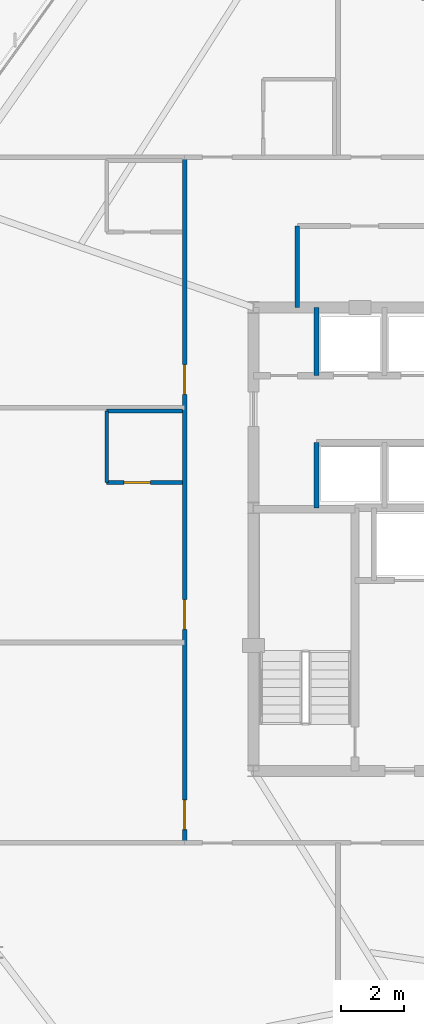
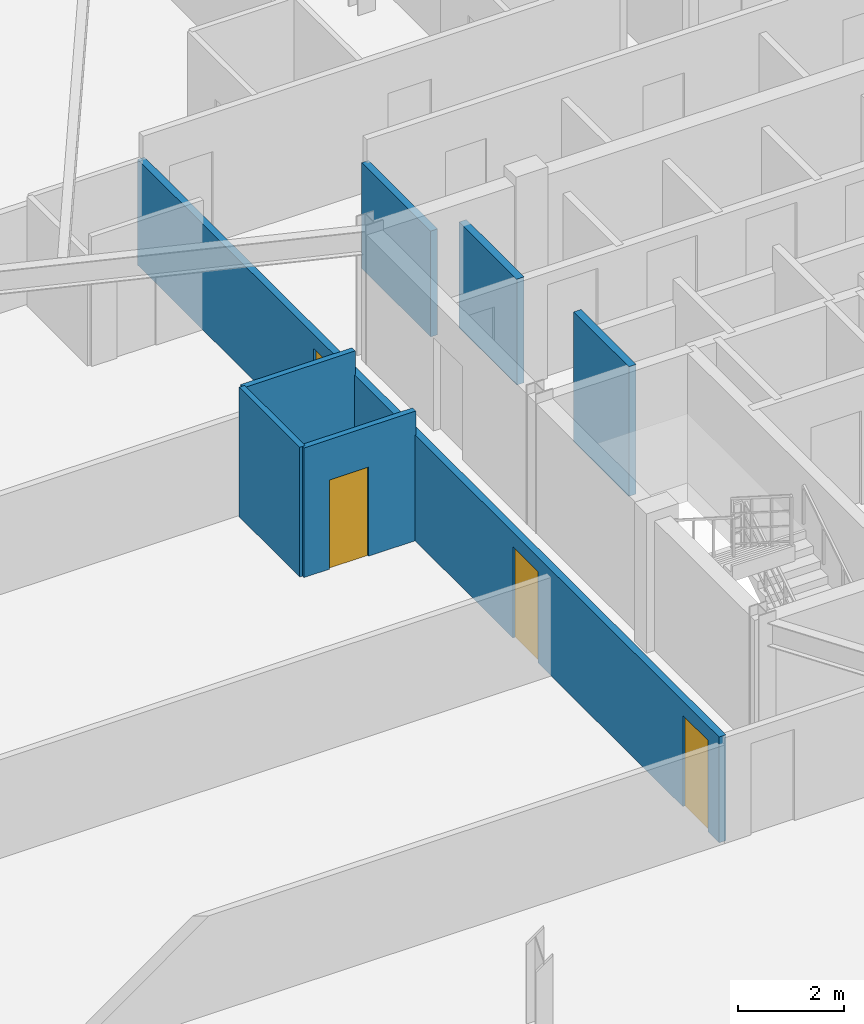
# One storey, part 12 of 17: 7 walls, 4 doors, 4 openings.
"""IFC4 building model written with IfcOpenShell, lengths in metres."""

from ifc_helpers import new_model, si_unit, direction, frame, frame_2d, origin, place, context, subcontext, project, spatial, rectangle, extrude, material, layer, layer_set, type_object, element, fill, save


model = new_model("IFC4")

# Units and contexts
model_context = context("Model", 3, precision=1e-05, world=origin(), true_north=direction((0.0, 1.0)))
body_context = subcontext(model_context, "Body", "Model", "MODEL_VIEW")
ifc_project = project(units=[si_unit("LENGTHUNIT", "METRE"), si_unit("AREAUNIT", "SQUARE_METRE"), si_unit("VOLUMEUNIT", "CUBIC_METRE"), si_unit("PLANEANGLEUNIT", "RADIAN"), si_unit("MASSUNIT", "GRAM", prefix="KILO")], contexts=[model_context])

# Site, building, storey
site_placement = place(None, origin())
site = spatial("IfcSite", under=ifc_project, at=site_placement, CompositionType="ELEMENT")
building_placement = place(site_placement, origin())
building = spatial("IfcBuilding", under=site, at=building_placement, Name="Varakhsha Concourse Tower", CompositionType="ELEMENT")
storey_placement = place(building_placement, frame((0.0, 0.0, 27.199951171875)))
storey = spatial("IfcBuildingStorey", under=building, at=storey_placement, Name="L06", CompositionType="ELEMENT", Elevation=27.199951171875)

# Wall
ifc_material_1 = material(Name="Acoustic Gypsum Board Partition Assembly", Category="gypsum")
ifc_layer_1 = layer(ifc_material_1, 0.1201171875, Name="WL-PART-120")
ifc_layer_set_1 = layer_set([ifc_layer_1], Name="Acoustic Gypsum Board Partition Assembly")
wall_type_1 = type_object("IfcWallType", Name="WL-PART-120", PredefinedType="PARTITIONING", material=ifc_layer_set_1)
wall_1_placement = place(storey_placement, frame((27.110107421875, 25.610107421875, 0.0), z_axis=(0.0, 0.0, 1.0), x_axis=(0.0, 1.0, 0.0)))
element("IfcWall", 1, at=wall_1_placement, inside=storey, type_object=wall_type_1, Name="L06 Wall ENSW-W-L06-H05", PredefinedType="PARTITIONING", context=body_context, shape_type="SweptSolid", body=[
    extrude(rectangle(XDim=2.27978515625, YDim=0.1201171875, at=frame_2d((1.139892578125, 0.0))), origin(), (0.0, 0.0, 1.0), 2.97998046875),
])

# Wall, opening, door
wall_2_placement = place(storey_placement, frame((27.110107421875, 25.610107421875, 0.0), z_axis=(0.0, 0.0, 1.0), x_axis=(1.0, 0.0, 0.0)))
wall_2 = element("IfcWall", 2, at=wall_2_placement, inside=storey, type_object=wall_type_1, Name="L06 Wall ENSW-S-L06-H05", PredefinedType="PARTITIONING", context=body_context, shape_type="SweptSolid", body=[
    extrude(rectangle(XDim=2.429931640625, YDim=0.1201171875, at=frame_2d((1.21484375, 0.0))), origin(), (0.0, 0.0, 1.0), 2.97998046875),
])
opening_1_placement = place(wall_2_placement, frame((0.550048828125, 0.0, 0.0)))
opening_1 = element("IfcOpeningElement", 3, at=opening_1_placement, cuts=wall_2, Name="Opening DI-01", PredefinedType="OPENING", context=body_context, shape_type="SweptSolid", body=[
    extrude(rectangle(XDim=0.85009765625, YDim=2.050048828125, at=frame_2d((0.425048828125, 1.02490234375))), frame((0.0, 0.070068359375, 0.0), z_axis=(0.0, -1.0, 0.0), x_axis=(1.0, 0.0, 0.0)), (0.0, 0.0, 1.0), 0.14013671875),
])
ifc_material_2 = material(Name="Architectural Walnut Acoustic Timber Door", Category="wood")
door_type_1 = type_object("IfcDoorType", Name="DR-INT-850", OperationType="NOTDEFINED", PredefinedType="DOOR", material=ifc_material_2)
door_1_placement = place(opening_1_placement, origin())
door_1 = element("IfcDoor", 4, at=door_1_placement, inside=storey, type_object=door_type_1, Name="L06 En-suite Bathroom Door L06-H05", OperationType="SINGLE_SWING_RIGHT", OverallHeight=2.050048828125, OverallWidth=0.85009765625, PredefinedType="DOOR", context=body_context, shape_type="SweptSolid", body=[
    extrude(rectangle(XDim=0.85009765625, YDim=2.050048828125, at=frame_2d((0.425048828125, 1.02490234375))), frame((0.0, 0.02490234375, 0.0), z_axis=(0.0, -1.0, 0.0), x_axis=(1.0, 0.0, 0.0)), (0.0, 0.0, 1.0), 0.050048828125),
])
fill(opening_1, door_1)

# Walls
wall_3_placement = place(storey_placement, frame((27.110107421875, 27.889892578125, 0.0), z_axis=(0.0, 0.0, 1.0), x_axis=(1.0, 0.0, 0.0)))
element("IfcWall", 5, at=wall_3_placement, inside=storey, type_object=wall_type_1, Name="L06 Wall ENSW-N-L06-H05", PredefinedType="PARTITIONING", context=body_context, shape_type="SweptSolid", body=[
    extrude(rectangle(XDim=2.429931640625, YDim=0.1201171875, at=frame_2d((1.21484375, 0.0))), origin(), (0.0, 0.0, 1.0), 2.97998046875),
])
ifc_material_3 = material(Name="Fire-Rated Type X Gypsum Partition Assembly", Category="gypsum")
ifc_layer_2 = layer(ifc_material_3, 0.14990234375, Name="WL-PART-150")
ifc_layer_set_2 = layer_set([ifc_layer_2], Name="Fire-Rated Type X Gypsum Partition Assembly")
wall_type_2 = type_object("IfcWallType", Name="WL-PART-150", PredefinedType="PARTITIONING", material=ifc_layer_set_2)
wall_4_placement = place(storey_placement, frame((33.199951171875, 31.199951171875, 0.0), z_axis=(0.0, 0.0, 1.0), x_axis=(0.0, 1.0, 0.0)))
element("IfcWall", 6, at=wall_4_placement, inside=storey, type_object=wall_type_2, Name="L06 Wall NBOH-W-L06", PredefinedType="PARTITIONING", context=body_context, shape_type="SweptSolid", body=[
    extrude(rectangle(XDim=2.60009765625, YDim=0.14990234375, at=frame_2d((1.300048828125, 0.0))), origin(), (0.0, 0.0, 1.0), 2.43115234375),
])

# Wall, openings, doors
wall_5_placement = place(storey_placement, frame((29.60009765625, 14.10009765625, 0.0), z_axis=(0.0, 0.0, 1.0), x_axis=(0.0, 1.0, 0.0)))
wall_5 = element("IfcWall", 7, at=wall_5_placement, inside=storey, type_object=wall_type_2, Name="L06 Wall CRW-W-L06", PredefinedType="PARTITIONING", context=body_context, shape_type="SweptSolid", body=[
    extrude(rectangle(XDim=21.89990234375, YDim=0.14990234375, at=frame_2d((10.949951171875, 0.0))), origin(), (0.0, 0.0, 1.0), 2.43115234375),
])
opening_2_placement = place(wall_5_placement, frame((0.419921875, 0.0, 0.0)))
opening_2 = element("IfcOpeningElement", 8, at=opening_2_placement, cuts=wall_5, Name="Opening DF-05", PredefinedType="OPENING", context=body_context, shape_type="SweptSolid", body=[
    extrude(rectangle(XDim=0.949951171875, YDim=2.10009765625, at=frame_2d((0.47509765625, 1.050048828125))), frame((0.0, 0.0849609375, 0.0), z_axis=(0.0, -1.0, 0.0), x_axis=(1.0, 0.0, 0.0)), (0.0, 0.0, 1.0), 0.169921875),
])
opening_3_placement = place(wall_5_placement, frame((6.820068359375, 0.0, 0.0)))
opening_3 = element("IfcOpeningElement", 9, at=opening_3_placement, cuts=wall_5, Name="Opening DF-05", PredefinedType="OPENING", context=body_context, shape_type="SweptSolid", body=[
    extrude(rectangle(XDim=0.949951171875, YDim=2.10009765625, at=frame_2d((0.47509765625, 1.050048828125))), frame((0.0, 0.0849609375, 0.0), z_axis=(0.0, -1.0, 0.0), x_axis=(1.0, 0.0, 0.0)), (0.0, 0.0, 1.0), 0.169921875),
])
opening_4_placement = place(wall_5_placement, frame((14.320068359375, 0.0, 0.0)))
opening_4 = element("IfcOpeningElement", 10, at=opening_4_placement, cuts=wall_5, Name="Opening DF-05", PredefinedType="OPENING", context=body_context, shape_type="SweptSolid", body=[
    extrude(rectangle(XDim=0.949951171875, YDim=2.10009765625, at=frame_2d((0.47509765625, 1.050048828125))), frame((0.0, 0.0849609375, 0.0), z_axis=(0.0, -1.0, 0.0), x_axis=(1.0, 0.0, 0.0)), (0.0, 0.0, 1.0), 0.169921875),
])
ifc_material_4 = material(Name="Hollow Galvanised Steel Fire Door Assembly", Category="steel")
door_type_2 = type_object("IfcDoorType", Name="DR-FD60-950", OperationType="NOTDEFINED", PredefinedType="DOOR", material=ifc_material_4)
door_2_placement = place(opening_2_placement, origin())
door_2 = element("IfcDoor", 11, at=door_2_placement, inside=storey, type_object=door_type_2, Name="L06 Hospitality Club Lounge L06-H04 Door", OperationType="SINGLE_SWING_RIGHT", OverallHeight=2.10009765625, OverallWidth=0.949951171875, PredefinedType="DOOR", context=body_context, shape_type="SweptSolid", body=[
    extrude(rectangle(XDim=0.949951171875, YDim=2.10009765625, at=frame_2d((0.47509765625, 1.050048828125))), frame((0.0, 0.02490234375, 0.0), z_axis=(0.0, -1.0, 0.0), x_axis=(1.0, 0.0, 0.0)), (0.0, 0.0, 1.0), 0.050048828125),
])
fill(opening_2, door_2)
door_3_placement = place(opening_3_placement, origin())
door_3 = element("IfcDoor", 12, at=door_3_placement, inside=storey, type_object=door_type_2, Name="L06 Hotel Corner Suite L06-H05 Entry Door", OperationType="SINGLE_SWING_LEFT", OverallHeight=2.10009765625, OverallWidth=0.949951171875, PredefinedType="DOOR", context=body_context, shape_type="SweptSolid", body=[
    extrude(rectangle(XDim=0.949951171875, YDim=2.10009765625, at=frame_2d((0.47509765625, 1.050048828125))), frame((0.0, 0.02490234375, 0.0), z_axis=(0.0, -1.0, 0.0), x_axis=(1.0, 0.0, 0.0)), (0.0, 0.0, 1.0), 0.050048828125),
])
fill(opening_3, door_3)
door_4_placement = place(opening_4_placement, origin())
door_4 = element("IfcDoor", 13, at=door_4_placement, inside=storey, type_object=door_type_2, Name="L06 Hotel Corner Suite L06-H06 Entry Door", OperationType="SINGLE_SWING_RIGHT", OverallHeight=2.10009765625, OverallWidth=0.949951171875, PredefinedType="DOOR", context=body_context, shape_type="SweptSolid", body=[
    extrude(rectangle(XDim=0.949951171875, YDim=2.10009765625, at=frame_2d((0.47509765625, 1.050048828125))), frame((0.0, 0.02490234375, 0.0), z_axis=(0.0, -1.0, 0.0), x_axis=(1.0, 0.0, 0.0)), (0.0, 0.0, 1.0), 0.050048828125),
])
fill(opening_4, door_4)

# Walls
ifc_layer_3 = layer(ifc_material_3, 0.199951171875, Name="WL-SHAFT-220")
ifc_layer_set_3 = layer_set([ifc_layer_3], Name="Fire-Rated Type X Gypsum Partition Assembly")
wall_type_3 = type_object("IfcWallType", Name="WL-SHAFT-220", PredefinedType="SOLIDWALL", material=ifc_layer_set_3)
wall_6_placement = place(storey_placement, frame((33.820068359375, 29.02001953125, 0.0), z_axis=(0.0, 0.0, 1.0), x_axis=(0.0, 1.0, 0.0)))
element("IfcWall", 14, at=wall_6_placement, inside=storey, type_object=wall_type_3, Name="L06 Wall WBOH-E1-L06", PredefinedType="SOLIDWALL", context=body_context, shape_type="SweptSolid", body=[
    extrude(rectangle(XDim=2.179931640625, YDim=0.159912109375, at=frame_2d((1.08984375, 0.0))), origin(), (0.0, 0.0, 1.0), 2.43115234375),
])
wall_7_placement = place(storey_placement, frame((33.820068359375, 24.800048828125, 0.0), z_axis=(0.0, 0.0, 1.0), x_axis=(0.0, 1.0, 0.0)))
element("IfcWall", 15, at=wall_7_placement, inside=storey, type_object=wall_type_3, Name="L06 Wall WBOH-E2-L06", PredefinedType="SOLIDWALL", context=body_context, shape_type="SweptSolid", body=[
    extrude(rectangle(XDim=2.079833984375, YDim=0.159912109375, at=frame_2d((1.0400390625, 0.0))), origin(), (0.0, 0.0, 1.0), 2.97998046875),
])

save(model, "model.ifc")
